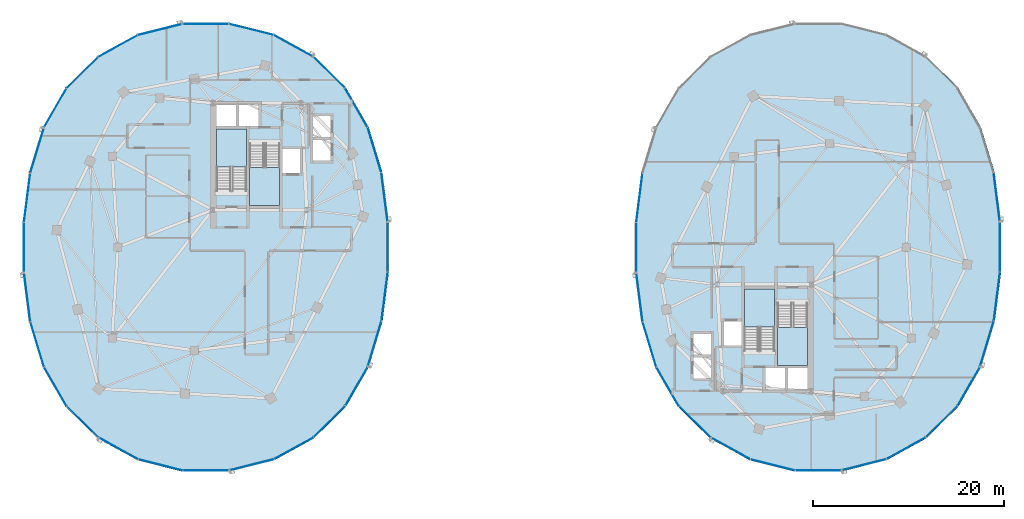
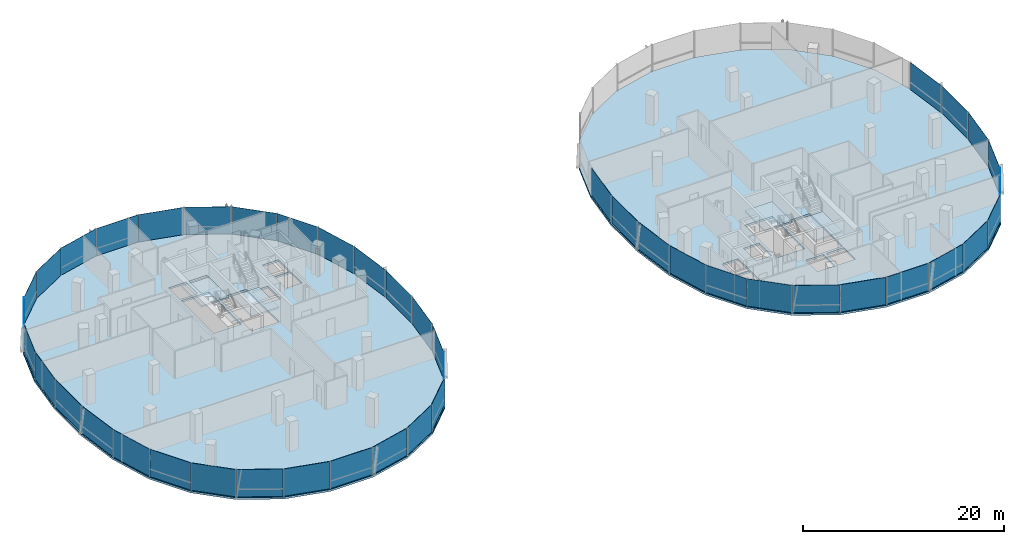
# One storey, part 10 of 22: 45 plates, 6 slabs, 12 elements without a shape of their own.
"""IFC4 building model written with IfcOpenShell, lengths in metres."""

from ifc_helpers import new_model, si_unit, direction, frame, origin, origin_2d, place, context, subcontext, project, spatial, polyline, rectangle, outline, extrude, material, layer, layer_set, type_object, element, aggregate, save


model = new_model("IFC4")

# Units and contexts
model_context = context("Model", 3, precision=1e-05, world=origin(), true_north=direction((0.0, 1.0)))
body_context = subcontext(model_context, "Body", "Model", "MODEL_VIEW")
ifc_project = project(units=[si_unit("LENGTHUNIT", "METRE"), si_unit("AREAUNIT", "SQUARE_METRE"), si_unit("VOLUMEUNIT", "CUBIC_METRE"), si_unit("PLANEANGLEUNIT", "RADIAN"), si_unit("MASSUNIT", "GRAM", prefix="KILO"), si_unit("THERMODYNAMICTEMPERATUREUNIT", "KELVIN"), si_unit("POWERUNIT", "WATT")], contexts=[model_context])

# Site, building, storey
site_placement = place(None, origin())
site = spatial("IfcSite", under=ifc_project, at=site_placement, CompositionType="ELEMENT")
building_placement = place(site_placement, origin())
building = spatial("IfcBuilding", under=site, at=building_placement, Name="Cundina Bronze Exchange", CompositionType="ELEMENT")
storey_placement = place(building_placement, frame((0.0, 0.0, 165.60009765625)))
storey = spatial("IfcBuildingStorey", under=building, at=storey_placement, Name="L43", CompositionType="ELEMENT", Elevation=165.60009765625)

# Curtain wall, plates
ifc_material_1 = material(Name="Anodised Bronze Aluminium 6063-T6", Category="aluminium")
curtain_wall_type = type_object("IfcCurtainWallType", Name="CWS-WST-PIN", PredefinedType="NOTDEFINED", material=ifc_material_1)
curtain_wall_1_placement = place(storey_placement, origin())
curtain_wall_1 = element("IfcCurtainWall", 1, at=curtain_wall_1_placement, inside=storey, type_object=curtain_wall_type, Name="L43 CW-04 Curtain Wall Run CWR-L43-W1", PredefinedType="NOTDEFINED")
ifc_material_2 = material(Name="Heat-Strengthened Solar-Control Bronze Safety Glass 28mm", Category="glass")
ifc_layer_1 = layer(ifc_material_2, 0.028076171875, Name="Heat-Strengthened Solar-Control Bronze Safety Glass 28mm", Category="glass")
ifc_layer_set_1 = layer_set([ifc_layer_1], Name="Heat-Strengthened Solar-Control Bronze Safety Glass 28mm")
plate_type_1 = type_object("IfcPlateType", Name="PLT-GLZ-VIS28", PredefinedType="CURTAIN_PANEL", material=ifc_layer_set_1)
plate_1_placement = place(storey_placement, frame((-13.320556640625, 5.2041015625, 0.02001953125), z_axis=(0.0, 0.0, 1.0), x_axis=(-0.126475984253, 0.9919696696, 0.0)))
plate_1 = element("IfcPlate", 2, at=plate_1_placement, type_object=plate_type_1, Name="CW-04 Glazed Panel 1", PredefinedType="CURTAIN_PANEL", context=body_context, shape_type="SweptSolid", body=[
    extrude(rectangle(XDim=5.104736328125, YDim=0.028076171875, at=origin_2d()), origin(), (0.0, 0.0, 1.0), 3.320068359375),
])
plate_2_placement = place(storey_placement, frame((-16.265625, 14.564697265625, 0.02001953125), z_axis=(0.0, 0.0, 1.0), x_axis=(-0.498487739754, 0.866896748936, 0.0)))
plate_2 = element("IfcPlate", 3, at=plate_2_placement, type_object=plate_type_1, Name="CW-04 Glazed Panel 3", PredefinedType="CURTAIN_PANEL", context=body_context, shape_type="SweptSolid", body=[
    extrude(rectangle(XDim=4.676513671875, YDim=0.028076171875, at=origin_2d()), origin(), (0.0, 0.0, 1.0), 3.320068359375),
])
plate_3_placement = place(storey_placement, frame((-19.105224609375, 18.253662109375, 0.02001953125), z_axis=(0.0, 0.0, 1.0), x_axis=(-0.711989280367, 0.702190333629, 0.0)))
plate_3 = element("IfcPlate", 4, at=plate_3_placement, type_object=plate_type_1, Name="CW-04 Glazed Panel 4", PredefinedType="CURTAIN_PANEL", context=body_context, shape_type="SweptSolid", body=[
    extrude(rectangle(XDim=4.6025390625, YDim=0.028076171875, at=origin_2d()), origin(), (0.0, 0.0, 1.0), 3.320068359375),
])
plate_4_placement = place(storey_placement, frame((-22.83154296875, 21.02880859375, 0.02001953125), z_axis=(0.0, 0.0, 1.0), x_axis=(-0.875869093438, 0.482548786301, 0.0)))
plate_4 = element("IfcPlate", 5, at=plate_4_placement, type_object=plate_type_1, Name="CW-04 Glazed Panel 5", PredefinedType="CURTAIN_PANEL", context=body_context, shape_type="SweptSolid", body=[
    extrude(rectangle(XDim=4.661865234375, YDim=0.028076171875, at=origin_2d()), origin(), (0.0, 0.0, 1.0), 3.320068359375),
])
plate_5_placement = place(storey_placement, frame((-27.23486328125, 22.75244140625, 0.02001953125), z_axis=(0.0, 0.0, 1.0), x_axis=(-0.970092713791, 0.242734683656, 0.0)))
plate_5 = element("IfcPlate", 6, at=plate_5_placement, type_object=plate_type_1, Name="CW-04 Glazed Panel 6", PredefinedType="CURTAIN_PANEL", context=body_context, shape_type="SweptSolid", body=[
    extrude(rectangle(XDim=4.7548828125, YDim=0.028076171875, at=origin_2d()), origin(), (0.0, 0.0, 1.0), 3.320068359375),
])

curtain_wall_2_placement = place(storey_placement, origin())
curtain_wall_2 = element("IfcCurtainWall", 7, at=curtain_wall_2_placement, inside=storey, type_object=curtain_wall_type, Name="L43 CW-04 Curtain Wall Run CWR-L43-W2", PredefinedType="NOTDEFINED")
plate_6_placement = place(storey_placement, frame((-41.16845703125, 21.02880859375, 0.02001953125), z_axis=(0.0, 0.0, 1.0), x_axis=(-0.875869093438, -0.482548786301, 0.0)))
plate_6 = element("IfcPlate", 8, at=plate_6_placement, type_object=plate_type_1, Name="CW-04 Glazed Panel 2", PredefinedType="CURTAIN_PANEL", context=body_context, shape_type="SweptSolid", body=[
    extrude(rectangle(XDim=4.661865234375, YDim=0.028076171875, at=origin_2d()), origin(), (0.0, 0.0, 1.0), 3.320068359375),
])
plate_7_placement = place(storey_placement, frame((-44.894775390625, 18.253662109375, 0.02001953125), z_axis=(0.0, 0.0, 1.0), x_axis=(-0.711989280367, -0.702190333629, 0.0)))
plate_7 = element("IfcPlate", 9, at=plate_7_placement, type_object=plate_type_1, Name="CW-04 Glazed Panel 3", PredefinedType="CURTAIN_PANEL", context=body_context, shape_type="SweptSolid", body=[
    extrude(rectangle(XDim=4.6025390625, YDim=0.028076171875, at=origin_2d()), origin(), (0.0, 0.0, 1.0), 3.320068359375),
])
plate_8_placement = place(storey_placement, frame((-47.734375, 14.564697265625, 0.02001953125), z_axis=(0.0, 0.0, 1.0), x_axis=(-0.498487739754, -0.866896748936, 0.0)))
plate_8 = element("IfcPlate", 10, at=plate_8_placement, type_object=plate_type_1, Name="CW-04 Glazed Panel 4", PredefinedType="CURTAIN_PANEL", context=body_context, shape_type="SweptSolid", body=[
    extrude(rectangle(XDim=4.676513671875, YDim=0.028076171875, at=origin_2d()), origin(), (0.0, 0.0, 1.0), 3.320068359375),
])
plate_9_placement = place(storey_placement, frame((-49.63330078125, 10.14208984375, 0.02001953125), z_axis=(0.0, 0.0, 1.0), x_axis=(-0.290050843957, -0.957011237092, 0.0)))
plate_9 = element("IfcPlate", 11, at=plate_9_placement, type_object=plate_type_1, Name="CW-04 Glazed Panel 5", PredefinedType="CURTAIN_PANEL", context=body_context, shape_type="SweptSolid", body=[
    extrude(rectangle(XDim=4.885009765625, YDim=0.028076171875, at=origin_2d()), origin(), (0.0, 0.0, 1.0), 3.320068359375),
])
plate_10_placement = place(storey_placement, frame((-51.007080078125, 0.0, 0.02001953125), z_axis=(0.0, 0.0, 1.0), x_axis=(0.0, -1.0, 0.0)))
plate_10 = element("IfcPlate", 12, at=plate_10_placement, type_object=plate_type_1, Name="CW-04 Glazed Panel 7", PredefinedType="CURTAIN_PANEL", context=body_context, shape_type="SweptSolid", body=[
    extrude(rectangle(XDim=5.194091796875, YDim=0.028076171875, at=origin_2d()), origin(), (0.0, 0.0, 1.0), 3.320068359375),
])

curtain_wall_3_placement = place(storey_placement, origin())
curtain_wall_3 = element("IfcCurtainWall", 13, at=curtain_wall_3_placement, inside=storey, type_object=curtain_wall_type, Name="L43 CW-04 Curtain Wall Run CWR-L43-W3", PredefinedType="NOTDEFINED")
plate_11_placement = place(storey_placement, frame((-50.679443359375, -5.2041015625, 0.02001953125), z_axis=(0.0, 0.0, 1.0), x_axis=(0.126475984253, -0.9919696696, 0.0)))
plate_11 = element("IfcPlate", 14, at=plate_11_placement, type_object=plate_type_1, Name="CW-04 Glazed Panel 1", PredefinedType="CURTAIN_PANEL", context=body_context, shape_type="SweptSolid", body=[
    extrude(rectangle(XDim=5.104736328125, YDim=0.028076171875, at=origin_2d()), origin(), (0.0, 0.0, 1.0), 3.320068359375),
])
plate_12_placement = place(storey_placement, frame((-49.63330078125, -10.14208984375, 0.02001953125), z_axis=(0.0, 0.0, 1.0), x_axis=(0.290050843957, -0.957011237092, 0.0)))
plate_12 = element("IfcPlate", 15, at=plate_12_placement, type_object=plate_type_1, Name="CW-04 Glazed Panel 2", PredefinedType="CURTAIN_PANEL", context=body_context, shape_type="SweptSolid", body=[
    extrude(rectangle(XDim=4.885009765625, YDim=0.028076171875, at=origin_2d()), origin(), (0.0, 0.0, 1.0), 3.320068359375),
])
plate_13_placement = place(storey_placement, frame((-47.734375, -14.564697265625, 0.02001953125), z_axis=(0.0, 0.0, 1.0), x_axis=(0.498487739754, -0.866896748936, 0.0)))
plate_13 = element("IfcPlate", 16, at=plate_13_placement, type_object=plate_type_1, Name="CW-04 Glazed Panel 3", PredefinedType="CURTAIN_PANEL", context=body_context, shape_type="SweptSolid", body=[
    extrude(rectangle(XDim=4.676513671875, YDim=0.028076171875, at=origin_2d()), origin(), (0.0, 0.0, 1.0), 3.320068359375),
])
plate_14_placement = place(storey_placement, frame((-44.894775390625, -18.253662109375, 0.02001953125), z_axis=(0.0, 0.0, 1.0), x_axis=(0.711989280367, -0.702190333629, 0.0)))
plate_14 = element("IfcPlate", 17, at=plate_14_placement, type_object=plate_type_1, Name="CW-04 Glazed Panel 4", PredefinedType="CURTAIN_PANEL", context=body_context, shape_type="SweptSolid", body=[
    extrude(rectangle(XDim=4.6025390625, YDim=0.028076171875, at=origin_2d()), origin(), (0.0, 0.0, 1.0), 3.320068359375),
])
plate_15_placement = place(storey_placement, frame((-36.76513671875, -22.75244140625, 0.02001953125), z_axis=(0.0, 0.0, 1.0), x_axis=(0.970092713791, -0.242734683656, 0.0)))
plate_15 = element("IfcPlate", 18, at=plate_15_placement, type_object=plate_type_1, Name="CW-04 Glazed Panel 6", PredefinedType="CURTAIN_PANEL", context=body_context, shape_type="SweptSolid", body=[
    extrude(rectangle(XDim=4.7548828125, YDim=0.028076171875, at=origin_2d()), origin(), (0.0, 0.0, 1.0), 3.320068359375),
])
plate_16_placement = place(storey_placement, frame((-32.0, -23.3369140625, 0.02001953125), z_axis=(0.0, 0.0, 1.0), x_axis=(1.0, 0.0, 0.0)))
plate_16 = element("IfcPlate", 19, at=plate_16_placement, type_object=plate_type_1, Name="CW-04 Glazed Panel 7", PredefinedType="CURTAIN_PANEL", context=body_context, shape_type="SweptSolid", body=[
    extrude(rectangle(XDim=4.7958984375, YDim=0.028076171875, at=origin_2d()), origin(), (0.0, 0.0, 1.0), 3.320068359375),
])

curtain_wall_4_placement = place(storey_placement, origin())
curtain_wall_4 = element("IfcCurtainWall", 20, at=curtain_wall_4_placement, inside=storey, type_object=curtain_wall_type, Name="L43 CW-04 Curtain Wall Run CWR-L43-W4", PredefinedType="NOTDEFINED")
plate_17_placement = place(storey_placement, frame((-27.23486328125, -22.75244140625, 0.02001953125), z_axis=(0.0, 0.0, 1.0), x_axis=(0.970092713791, 0.242734683656, 0.0)))
plate_17 = element("IfcPlate", 21, at=plate_17_placement, type_object=plate_type_1, Name="CW-04 Glazed Panel 1", PredefinedType="CURTAIN_PANEL", context=body_context, shape_type="SweptSolid", body=[
    extrude(rectangle(XDim=4.7548828125, YDim=0.028076171875, at=origin_2d()), origin(), (0.0, 0.0, 1.0), 3.320068359375),
])
plate_18_placement = place(storey_placement, frame((-22.83154296875, -21.02880859375, 0.02001953125), z_axis=(0.0, 0.0, 1.0), x_axis=(0.875869093438, 0.482548786301, 0.0)))
plate_18 = element("IfcPlate", 22, at=plate_18_placement, type_object=plate_type_1, Name="CW-04 Glazed Panel 2", PredefinedType="CURTAIN_PANEL", context=body_context, shape_type="SweptSolid", body=[
    extrude(rectangle(XDim=4.661865234375, YDim=0.028076171875, at=origin_2d()), origin(), (0.0, 0.0, 1.0), 3.320068359375),
])
plate_19_placement = place(storey_placement, frame((-19.105224609375, -18.253662109375, 0.02001953125), z_axis=(0.0, 0.0, 1.0), x_axis=(0.711989280367, 0.702190333629, 0.0)))
plate_19 = element("IfcPlate", 23, at=plate_19_placement, type_object=plate_type_1, Name="CW-04 Glazed Panel 3", PredefinedType="CURTAIN_PANEL", context=body_context, shape_type="SweptSolid", body=[
    extrude(rectangle(XDim=4.6025390625, YDim=0.028076171875, at=origin_2d()), origin(), (0.0, 0.0, 1.0), 3.320068359375),
])
plate_20_placement = place(storey_placement, frame((-14.36669921875, -10.14208984375, 0.02001953125), z_axis=(0.0, 0.0, 1.0), x_axis=(0.290050843957, 0.957011237092, 0.0)))
plate_20 = element("IfcPlate", 24, at=plate_20_placement, type_object=plate_type_1, Name="CW-04 Glazed Panel 5", PredefinedType="CURTAIN_PANEL", context=body_context, shape_type="SweptSolid", body=[
    extrude(rectangle(XDim=4.885009765625, YDim=0.028076171875, at=origin_2d()), origin(), (0.0, 0.0, 1.0), 3.320068359375),
])
plate_21_placement = place(storey_placement, frame((-13.320556640625, -5.2041015625, 0.02001953125), z_axis=(0.0, 0.0, 1.0), x_axis=(0.126475984253, 0.9919696696, 0.0)))
plate_21 = element("IfcPlate", 25, at=plate_21_placement, type_object=plate_type_1, Name="CW-04 Glazed Panel 6", PredefinedType="CURTAIN_PANEL", context=body_context, shape_type="SweptSolid", body=[
    extrude(rectangle(XDim=5.104736328125, YDim=0.028076171875, at=origin_2d()), origin(), (0.0, 0.0, 1.0), 3.320068359375),
])
plate_22_placement = place(storey_placement, frame((-12.992919921875, 0.0, 0.02001953125), z_axis=(0.0, 0.0, 1.0), x_axis=(0.0, 1.0, 0.0)))
plate_22 = element("IfcPlate", 26, at=plate_22_placement, type_object=plate_type_1, Name="CW-04 Glazed Panel 7", PredefinedType="CURTAIN_PANEL", context=body_context, shape_type="SweptSolid", body=[
    extrude(rectangle(XDim=5.194091796875, YDim=0.028076171875, at=origin_2d()), origin(), (0.0, 0.0, 1.0), 3.320068359375),
])

# Curtain wall, plate
curtain_wall_5_placement = place(storey_placement, origin())
curtain_wall_5 = element("IfcCurtainWall", 27, at=curtain_wall_5_placement, inside=storey, type_object=curtain_wall_type, Name="L43 CW-04 Curtain Wall Run CWR-L43-E1", PredefinedType="NOTDEFINED")
plate_23_placement = place(storey_placement, frame((50.679443359375, 5.2041015625, 0.02001953125), z_axis=(0.0, 0.0, 1.0), x_axis=(-0.126475984253, 0.9919696696, 0.0)))
plate_23 = element("IfcPlate", 28, at=plate_23_placement, type_object=plate_type_1, Name="CW-04 Glazed Panel 1", PredefinedType="CURTAIN_PANEL", context=body_context, shape_type="SweptSolid", body=[
    extrude(rectangle(XDim=5.104736328125, YDim=0.028076171875, at=origin_2d()), origin(), (0.0, 0.0, 1.0), 3.320068359375),
])
aggregate(curtain_wall_5, [plate_23])

curtain_wall_6_placement = place(storey_placement, origin())
curtain_wall_6 = element("IfcCurtainWall", 29, at=curtain_wall_6_placement, inside=storey, type_object=curtain_wall_type, Name="L43 CW-04 Curtain Wall Run CWR-L43-E2", PredefinedType="NOTDEFINED")
plate_24_placement = place(storey_placement, frame((12.992919921875, 0.0, 0.02001953125), z_axis=(0.0, 0.0, 1.0), x_axis=(0.0, -1.0, 0.0)))
plate_24 = element("IfcPlate", 30, at=plate_24_placement, type_object=plate_type_1, Name="CW-04 Glazed Panel 7", PredefinedType="CURTAIN_PANEL", context=body_context, shape_type="SweptSolid", body=[
    extrude(rectangle(XDim=5.194091796875, YDim=0.028076171875, at=origin_2d()), origin(), (0.0, 0.0, 1.0), 3.320068359375),
])

# Curtain wall, plates
curtain_wall_7_placement = place(storey_placement, origin())
curtain_wall_7 = element("IfcCurtainWall", 31, at=curtain_wall_7_placement, inside=storey, type_object=curtain_wall_type, Name="L43 CW-04 Curtain Wall Run CWR-L43-E3", PredefinedType="NOTDEFINED")
plate_25_placement = place(storey_placement, frame((13.320556640625, -5.2041015625, 0.02001953125), z_axis=(0.0, 0.0, 1.0), x_axis=(0.126475984253, -0.9919696696, 0.0)))
plate_25 = element("IfcPlate", 32, at=plate_25_placement, type_object=plate_type_1, Name="CW-04 Glazed Panel 1", PredefinedType="CURTAIN_PANEL", context=body_context, shape_type="SweptSolid", body=[
    extrude(rectangle(XDim=5.104736328125, YDim=0.028076171875, at=origin_2d()), origin(), (0.0, 0.0, 1.0), 3.320068359375),
])
plate_26_placement = place(storey_placement, frame((14.36669921875, -10.14208984375, 0.02001953125), z_axis=(0.0, 0.0, 1.0), x_axis=(0.290050843957, -0.957011237092, 0.0)))
plate_26 = element("IfcPlate", 33, at=plate_26_placement, type_object=plate_type_1, Name="CW-04 Glazed Panel 2", PredefinedType="CURTAIN_PANEL", context=body_context, shape_type="SweptSolid", body=[
    extrude(rectangle(XDim=4.885009765625, YDim=0.028076171875, at=origin_2d()), origin(), (0.0, 0.0, 1.0), 3.320068359375),
])
plate_27_placement = place(storey_placement, frame((16.265625, -14.564697265625, 0.02001953125), z_axis=(0.0, 0.0, 1.0), x_axis=(0.498487739754, -0.866896748936, 0.0)))
plate_27 = element("IfcPlate", 34, at=plate_27_placement, type_object=plate_type_1, Name="CW-04 Glazed Panel 3", PredefinedType="CURTAIN_PANEL", context=body_context, shape_type="SweptSolid", body=[
    extrude(rectangle(XDim=4.676513671875, YDim=0.028076171875, at=origin_2d()), origin(), (0.0, 0.0, 1.0), 3.320068359375),
])
plate_28_placement = place(storey_placement, frame((19.105224609375, -18.253662109375, 0.02001953125), z_axis=(0.0, 0.0, 1.0), x_axis=(0.711989280367, -0.702190333629, 0.0)))
plate_28 = element("IfcPlate", 35, at=plate_28_placement, type_object=plate_type_1, Name="CW-04 Glazed Panel 4", PredefinedType="CURTAIN_PANEL", context=body_context, shape_type="SweptSolid", body=[
    extrude(rectangle(XDim=4.6025390625, YDim=0.028076171875, at=origin_2d()), origin(), (0.0, 0.0, 1.0), 3.320068359375),
])
plate_29_placement = place(storey_placement, frame((27.23486328125, -22.75244140625, 0.02001953125), z_axis=(0.0, 0.0, 1.0), x_axis=(0.970092713791, -0.242734683656, 0.0)))
plate_29 = element("IfcPlate", 36, at=plate_29_placement, type_object=plate_type_1, Name="CW-04 Glazed Panel 6", PredefinedType="CURTAIN_PANEL", context=body_context, shape_type="SweptSolid", body=[
    extrude(rectangle(XDim=4.7548828125, YDim=0.028076171875, at=origin_2d()), origin(), (0.0, 0.0, 1.0), 3.320068359375),
])
plate_30_placement = place(storey_placement, frame((32.0, -23.3369140625, 0.02001953125), z_axis=(0.0, 0.0, 1.0), x_axis=(1.0, 0.0, 0.0)))
plate_30 = element("IfcPlate", 37, at=plate_30_placement, type_object=plate_type_1, Name="CW-04 Glazed Panel 7", PredefinedType="CURTAIN_PANEL", context=body_context, shape_type="SweptSolid", body=[
    extrude(rectangle(XDim=4.7958984375, YDim=0.028076171875, at=origin_2d()), origin(), (0.0, 0.0, 1.0), 3.320068359375),
])

curtain_wall_8_placement = place(storey_placement, origin())
curtain_wall_8 = element("IfcCurtainWall", 38, at=curtain_wall_8_placement, inside=storey, type_object=curtain_wall_type, Name="L43 CW-04 Curtain Wall Run CWR-L43-E4", PredefinedType="NOTDEFINED")
plate_31_placement = place(storey_placement, frame((36.76513671875, -22.75244140625, 0.02001953125), z_axis=(0.0, 0.0, 1.0), x_axis=(0.970092713791, 0.242734683656, 0.0)))
plate_31 = element("IfcPlate", 39, at=plate_31_placement, type_object=plate_type_1, Name="CW-04 Glazed Panel 1", PredefinedType="CURTAIN_PANEL", context=body_context, shape_type="SweptSolid", body=[
    extrude(rectangle(XDim=4.7548828125, YDim=0.028076171875, at=origin_2d()), origin(), (0.0, 0.0, 1.0), 3.320068359375),
])
plate_32_placement = place(storey_placement, frame((41.16845703125, -21.02880859375, 0.02001953125), z_axis=(0.0, 0.0, 1.0), x_axis=(0.875869093438, 0.482548786301, 0.0)))
plate_32 = element("IfcPlate", 40, at=plate_32_placement, type_object=plate_type_1, Name="CW-04 Glazed Panel 2", PredefinedType="CURTAIN_PANEL", context=body_context, shape_type="SweptSolid", body=[
    extrude(rectangle(XDim=4.661865234375, YDim=0.028076171875, at=origin_2d()), origin(), (0.0, 0.0, 1.0), 3.320068359375),
])
plate_33_placement = place(storey_placement, frame((44.894775390625, -18.253662109375, 0.02001953125), z_axis=(0.0, 0.0, 1.0), x_axis=(0.711989280367, 0.702190333629, 0.0)))
plate_33 = element("IfcPlate", 41, at=plate_33_placement, type_object=plate_type_1, Name="CW-04 Glazed Panel 3", PredefinedType="CURTAIN_PANEL", context=body_context, shape_type="SweptSolid", body=[
    extrude(rectangle(XDim=4.6025390625, YDim=0.028076171875, at=origin_2d()), origin(), (0.0, 0.0, 1.0), 3.320068359375),
])
plate_34_placement = place(storey_placement, frame((49.63330078125, -10.14208984375, 0.02001953125), z_axis=(0.0, 0.0, 1.0), x_axis=(0.290050843957, 0.957011237092, 0.0)))
plate_34 = element("IfcPlate", 42, at=plate_34_placement, type_object=plate_type_1, Name="CW-04 Glazed Panel 5", PredefinedType="CURTAIN_PANEL", context=body_context, shape_type="SweptSolid", body=[
    extrude(rectangle(XDim=4.885009765625, YDim=0.028076171875, at=origin_2d()), origin(), (0.0, 0.0, 1.0), 3.320068359375),
])
plate_35_placement = place(storey_placement, frame((50.679443359375, -5.2041015625, 0.02001953125), z_axis=(0.0, 0.0, 1.0), x_axis=(0.126475984253, 0.9919696696, 0.0)))
plate_35 = element("IfcPlate", 43, at=plate_35_placement, type_object=plate_type_1, Name="CW-04 Glazed Panel 6", PredefinedType="CURTAIN_PANEL", context=body_context, shape_type="SweptSolid", body=[
    extrude(rectangle(XDim=5.104736328125, YDim=0.028076171875, at=origin_2d()), origin(), (0.0, 0.0, 1.0), 3.320068359375),
])
plate_36_placement = place(storey_placement, frame((51.007080078125, 0.0, 0.02001953125), z_axis=(0.0, 0.0, 1.0), x_axis=(0.0, 1.0, 0.0)))
plate_36 = element("IfcPlate", 44, at=plate_36_placement, type_object=plate_type_1, Name="CW-04 Glazed Panel 7", PredefinedType="CURTAIN_PANEL", context=body_context, shape_type="SweptSolid", body=[
    extrude(rectangle(XDim=5.194091796875, YDim=0.028076171875, at=origin_2d()), origin(), (0.0, 0.0, 1.0), 3.320068359375),
])

# Plate
ifc_material_3 = material(Name="Dark Bronze Spandrel Glass Panel 32mm", Category="glass")
ifc_layer_2 = layer(ifc_material_3, 0.031982421875, Name="Dark Bronze Spandrel Glass Panel 32mm", Category="glass")
ifc_layer_set_2 = layer_set([ifc_layer_2], Name="Dark Bronze Spandrel Glass Panel 32mm")
plate_type_2 = type_object("IfcPlateType", Name="PLT-SPN-BRZ32", PredefinedType="CURTAIN_PANEL", material=ifc_layer_set_2)
plate_37_placement = place(storey_placement, frame((-14.36669921875, 10.14208984375, 0.02001953125), z_axis=(0.0, 0.0, 1.0), x_axis=(-0.290050843957, 0.957011237092, 0.0)))
plate_37 = element("IfcPlate", 45, at=plate_37_placement, type_object=plate_type_2, Name="CW-04 Glazed Panel 2", PredefinedType="CURTAIN_PANEL", context=body_context, shape_type="SweptSolid", body=[
    extrude(rectangle(XDim=4.885009765625, YDim=0.031982421875, at=origin_2d()), origin(), (0.0, 0.0, 1.0), 3.320068359375),
])

plate_38_placement = place(storey_placement, frame((-32.0, 23.3369140625, 0.02001953125), z_axis=(0.0, 0.0, 1.0), x_axis=(-1.0, 0.0, 0.0)))
plate_38 = element("IfcPlate", 46, at=plate_38_placement, type_object=plate_type_2, Name="CW-04 Glazed Panel 7", PredefinedType="CURTAIN_PANEL", context=body_context, shape_type="SweptSolid", body=[
    extrude(rectangle(XDim=4.7958984375, YDim=0.031982421875, at=origin_2d()), origin(), (0.0, 0.0, 1.0), 3.320068359375),
])

aggregate(curtain_wall_1, [plate_1, plate_37, plate_2, plate_3, plate_4, plate_5, plate_38])

plate_39_placement = place(storey_placement, frame((-36.76513671875, 22.75244140625, 0.02001953125), z_axis=(0.0, 0.0, 1.0), x_axis=(-0.970092713791, -0.242734683656, 0.0)))
plate_39 = element("IfcPlate", 47, at=plate_39_placement, type_object=plate_type_2, Name="CW-04 Glazed Panel 1", PredefinedType="CURTAIN_PANEL", context=body_context, shape_type="SweptSolid", body=[
    extrude(rectangle(XDim=4.7548828125, YDim=0.031982421875, at=origin_2d()), origin(), (0.0, 0.0, 1.0), 3.320068359375),
])

plate_40_placement = place(storey_placement, frame((-50.679443359375, 5.2041015625, 0.02001953125), z_axis=(0.0, 0.0, 1.0), x_axis=(-0.126475984253, -0.9919696696, 0.0)))
plate_40 = element("IfcPlate", 48, at=plate_40_placement, type_object=plate_type_2, Name="CW-04 Glazed Panel 6", PredefinedType="CURTAIN_PANEL", context=body_context, shape_type="SweptSolid", body=[
    extrude(rectangle(XDim=5.104736328125, YDim=0.031982421875, at=origin_2d()), origin(), (0.0, 0.0, 1.0), 3.320068359375),
])

aggregate(curtain_wall_2, [plate_39, plate_6, plate_7, plate_8, plate_9, plate_40, plate_10])

plate_41_placement = place(storey_placement, frame((-41.16845703125, -21.02880859375, 0.02001953125), z_axis=(0.0, 0.0, 1.0), x_axis=(0.875869093438, -0.482548786301, 0.0)))
plate_41 = element("IfcPlate", 49, at=plate_41_placement, type_object=plate_type_2, Name="CW-04 Glazed Panel 5", PredefinedType="CURTAIN_PANEL", context=body_context, shape_type="SweptSolid", body=[
    extrude(rectangle(XDim=4.661865234375, YDim=0.031982421875, at=origin_2d()), origin(), (0.0, 0.0, 1.0), 3.320068359375),
])

aggregate(curtain_wall_3, [plate_11, plate_12, plate_13, plate_14, plate_41, plate_15, plate_16])

plate_42_placement = place(storey_placement, frame((-16.265625, -14.564697265625, 0.02001953125), z_axis=(0.0, 0.0, 1.0), x_axis=(0.498487739754, 0.866896748936, 0.0)))
plate_42 = element("IfcPlate", 50, at=plate_42_placement, type_object=plate_type_2, Name="CW-04 Glazed Panel 4", PredefinedType="CURTAIN_PANEL", context=body_context, shape_type="SweptSolid", body=[
    extrude(rectangle(XDim=4.676513671875, YDim=0.031982421875, at=origin_2d()), origin(), (0.0, 0.0, 1.0), 3.320068359375),
])

aggregate(curtain_wall_4, [plate_17, plate_18, plate_19, plate_42, plate_20, plate_21, plate_22])

plate_43_placement = place(storey_placement, frame((13.320556640625, 5.2041015625, 0.02001953125), z_axis=(0.0, 0.0, 1.0), x_axis=(-0.126475984253, -0.9919696696, 0.0)))
plate_43 = element("IfcPlate", 51, at=plate_43_placement, type_object=plate_type_2, Name="CW-04 Glazed Panel 6", PredefinedType="CURTAIN_PANEL", context=body_context, shape_type="SweptSolid", body=[
    extrude(rectangle(XDim=5.104736328125, YDim=0.031982421875, at=origin_2d()), origin(), (0.0, 0.0, 1.0), 3.320068359375),
])

aggregate(curtain_wall_6, [plate_43, plate_24])

plate_44_placement = place(storey_placement, frame((22.83154296875, -21.02880859375, 0.02001953125), z_axis=(0.0, 0.0, 1.0), x_axis=(0.875869093438, -0.482548786301, 0.0)))
plate_44 = element("IfcPlate", 52, at=plate_44_placement, type_object=plate_type_2, Name="CW-04 Glazed Panel 5", PredefinedType="CURTAIN_PANEL", context=body_context, shape_type="SweptSolid", body=[
    extrude(rectangle(XDim=4.661865234375, YDim=0.031982421875, at=origin_2d()), origin(), (0.0, 0.0, 1.0), 3.320068359375),
])

aggregate(curtain_wall_7, [plate_25, plate_26, plate_27, plate_28, plate_44, plate_29, plate_30])

plate_45_placement = place(storey_placement, frame((47.734375, -14.564697265625, 0.02001953125), z_axis=(0.0, 0.0, 1.0), x_axis=(0.498487739754, 0.866896748936, 0.0)))
plate_45 = element("IfcPlate", 53, at=plate_45_placement, type_object=plate_type_2, Name="CW-04 Glazed Panel 4", PredefinedType="CURTAIN_PANEL", context=body_context, shape_type="SweptSolid", body=[
    extrude(rectangle(XDim=4.676513671875, YDim=0.031982421875, at=origin_2d()), origin(), (0.0, 0.0, 1.0), 3.320068359375),
])

aggregate(curtain_wall_8, [plate_31, plate_32, plate_33, plate_45, plate_34, plate_35, plate_36])

# Stair, slab
ifc_material_4 = material(Name="Concrete C40/50", Category="concrete")
stair_type = type_object("IfcStairType", Name="STR-OFF-360", PredefinedType="HALF_TURN_STAIR", material=ifc_material_4)
stair_1_placement = place(storey_placement, origin())
stair_1 = element("IfcStair", 54, at=stair_1_placement, inside=storey, type_object=stair_type, Name="L43 Smokeproof Exit Stair W1", PredefinedType="HALF_TURN_STAIR")
ifc_layer_3 = layer(ifc_material_4, 0.199951171875, Name="Concrete C40/50", Category="concrete")
ifc_layer_set_3 = layer_set([ifc_layer_3], Name="Concrete C40/50")
slab_type_1 = type_object("IfcSlabType", Name="SLB-LND-200", PredefinedType="LANDING", material=ifc_layer_set_3)
slab_1_placement = place(storey_placement, frame((0.0, 0.0, 1.599853515625)))
slab_1 = element("IfcSlab", 55, at=slab_1_placement, type_object=slab_type_1, Name="ST-W1 landing 1", PredefinedType="LANDING", context=body_context, shape_type="SweptSolid", body=[
    extrude(outline(polyline([(-27.739990234375, 8.3701171875), (-27.739990234375, 12.35009765625), (-30.89990234375, 12.35009765625), (-30.89990234375, 8.3701171875), (-27.739990234375, 8.3701171875)])), origin(), (0.0, 0.0, 1.0), 0.199951171875),
])
aggregate(stair_1, [slab_1])

stair_2_placement = place(storey_placement, origin())
stair_2 = element("IfcStair", 56, at=stair_2_placement, inside=storey, type_object=stair_type, Name="L43 Smokeproof Exit Stair W2", PredefinedType="HALF_TURN_STAIR")
slab_2_placement = place(storey_placement, frame((0.0, 0.0, 1.599853515625)))
slab_2 = element("IfcSlab", 57, at=slab_2_placement, type_object=slab_type_1, Name="ST-W2 landing 1", PredefinedType="LANDING", context=body_context, shape_type="SweptSolid", body=[
    extrude(outline(polyline([(-27.43994140625, 8.330078125), (-27.43994140625, 4.35009765625), (-24.280029296875, 4.35009765625), (-24.280029296875, 8.330078125), (-27.43994140625, 8.330078125)])), origin(), (0.0, 0.0, 1.0), 0.199951171875),
])
aggregate(stair_2, [slab_2])

stair_3_placement = place(storey_placement, origin())
stair_3 = element("IfcStair", 58, at=stair_3_placement, inside=storey, type_object=stair_type, Name="L43 Smokeproof Exit Stair E1", PredefinedType="HALF_TURN_STAIR")
slab_3_placement = place(storey_placement, frame((0.0, 0.0, 1.599853515625)))
slab_3 = element("IfcSlab", 59, at=slab_3_placement, type_object=slab_type_1, Name="ST-E1 landing 1", PredefinedType="LANDING", context=body_context, shape_type="SweptSolid", body=[
    extrude(outline(polyline([(27.739990234375, -8.3701171875), (27.739990234375, -12.35009765625), (30.89990234375, -12.35009765625), (30.89990234375, -8.3701171875), (27.739990234375, -8.3701171875)])), origin(), (0.0, 0.0, 1.0), 0.199951171875),
])
aggregate(stair_3, [slab_3])

stair_4_placement = place(storey_placement, origin())
stair_4 = element("IfcStair", 60, at=stair_4_placement, inside=storey, type_object=stair_type, Name="L43 Smokeproof Exit Stair E2", PredefinedType="HALF_TURN_STAIR")
slab_4_placement = place(storey_placement, frame((0.0, 0.0, 1.599853515625)))
slab_4 = element("IfcSlab", 61, at=slab_4_placement, type_object=slab_type_1, Name="ST-E2 landing 1", PredefinedType="LANDING", context=body_context, shape_type="SweptSolid", body=[
    extrude(outline(polyline([(27.43994140625, -8.330078125), (27.43994140625, -4.35009765625), (24.280029296875, -4.35009765625), (24.280029296875, -8.330078125), (27.43994140625, -8.330078125)])), origin(), (0.0, 0.0, 1.0), 0.199951171875),
])
aggregate(stair_4, [slab_4])

# Slabs
ifc_material_5 = material(Name="Concrete C50/60", Category="concrete")
ifc_layer_4 = layer(ifc_material_5, 0.239990234375, Name="Concrete C50/60", Category="concrete")
ifc_layer_set_4 = layer_set([ifc_layer_4], Name="Concrete C50/60")
slab_type_2 = type_object("IfcSlabType", Name="SLB-WST-240", PredefinedType="FLOOR", material=ifc_layer_set_4)
slab_5_placement = place(storey_placement, frame((0.0, 0.0, -0.239990234375)))
element("IfcSlab", 62, at=slab_5_placement, inside=storey, type_object=slab_type_2, Name="L43 Leg W Structural Floor Slab", PredefinedType="FLOOR", context=body_context, shape_type="SweptSolid", body=[
    extrude(outline(polyline([(-12.8779296875, 2.64208984375), (-13.534912109375, 7.794921875), (-14.97802734375, 12.555908203125), (-17.35400390625, 16.68798828125), (-20.695068359375, 19.98291015625), (-24.85693359375, 22.27587890625), (-29.556884765625, 23.451904296875), (-34.443115234375, 23.451904296875), (-39.14306640625, 22.27587890625), (-43.304931640625, 19.98291015625), (-46.64599609375, 16.68798828125), (-49.02197265625, 12.555908203125), (-50.465087890625, 7.794921875), (-51.1220703125, 2.64208984375), (-51.1220703125, -2.64208984375), (-50.465087890625, -7.794921875), (-49.02197265625, -12.555908203125), (-46.64599609375, -16.68798828125), (-43.304931640625, -19.98291015625), (-39.14306640625, -22.27587890625), (-34.443115234375, -23.451904296875), (-29.556884765625, -23.451904296875), (-24.85693359375, -22.27587890625), (-20.695068359375, -19.98291015625), (-17.35400390625, -16.68798828125), (-14.97802734375, -12.555908203125), (-13.534912109375, -7.794921875), (-12.8779296875, -2.64208984375), (-12.8779296875, 2.64208984375)]), holes=[polyline([(-27.739990234375, 5.85009765625), (-27.739990234375, 12.35009765625), (-30.89990234375, 12.35009765625), (-30.89990234375, 5.85009765625), (-27.739990234375, 5.85009765625)]), polyline([(-27.43994140625, 10.85009765625), (-27.43994140625, 4.35009765625), (-24.280029296875, 4.35009765625), (-24.280029296875, 10.85009765625), (-27.43994140625, 10.85009765625)]), polyline([(-23.97998046875, 10.25), (-22.179931640625, 10.25), (-22.179931640625, 7.75), (-23.97998046875, 7.75), (-23.97998046875, 10.25)]), polyline([(-30.89990234375, 14.949951171875), (-28.85009765625, 14.949951171875), (-28.85009765625, 12.64990234375), (-30.89990234375, 12.64990234375), (-30.89990234375, 14.949951171875)]), polyline([(-28.550048828125, 14.949951171875), (-26.5, 14.949951171875), (-26.5, 12.64990234375), (-28.550048828125, 12.64990234375), (-28.550048828125, 14.949951171875)]), polyline([(-20.800048828125, 13.699951171875), (-18.949951171875, 13.699951171875), (-18.949951171875, 11.449951171875), (-20.800048828125, 11.449951171875), (-20.800048828125, 13.699951171875)]), polyline([(-20.800048828125, 11.300048828125), (-18.949951171875, 11.300048828125), (-18.949951171875, 9.050048828125), (-20.800048828125, 9.050048828125), (-20.800048828125, 11.300048828125)])]), origin(), (0.0, 0.0, 1.0), 0.239990234375),
])
slab_6_placement = place(storey_placement, frame((0.0, 0.0, -0.239990234375)))
element("IfcSlab", 63, at=slab_6_placement, inside=storey, type_object=slab_type_2, Name="L43 Leg E Structural Floor Slab", PredefinedType="FLOOR", context=body_context, shape_type="SweptSolid", body=[
    extrude(outline(polyline([(51.1220703125, 2.64208984375), (50.465087890625, 7.794921875), (49.02197265625, 12.555908203125), (46.64599609375, 16.68798828125), (43.304931640625, 19.98291015625), (39.14306640625, 22.27587890625), (34.443115234375, 23.451904296875), (29.556884765625, 23.451904296875), (24.85693359375, 22.27587890625), (20.695068359375, 19.98291015625), (17.35400390625, 16.68798828125), (14.97802734375, 12.555908203125), (13.534912109375, 7.794921875), (12.8779296875, 2.64208984375), (12.8779296875, -2.64208984375), (13.534912109375, -7.794921875), (14.97802734375, -12.555908203125), (17.35400390625, -16.68798828125), (20.695068359375, -19.98291015625), (24.85693359375, -22.27587890625), (29.556884765625, -23.451904296875), (34.443115234375, -23.451904296875), (39.14306640625, -22.27587890625), (43.304931640625, -19.98291015625), (46.64599609375, -16.68798828125), (49.02197265625, -12.555908203125), (50.465087890625, -7.794921875), (51.1220703125, -2.64208984375), (51.1220703125, 2.64208984375)]), holes=[polyline([(27.739990234375, -5.85009765625), (27.739990234375, -12.35009765625), (30.89990234375, -12.35009765625), (30.89990234375, -5.85009765625), (27.739990234375, -5.85009765625)]), polyline([(27.43994140625, -10.85009765625), (27.43994140625, -4.35009765625), (24.280029296875, -4.35009765625), (24.280029296875, -10.85009765625), (27.43994140625, -10.85009765625)]), polyline([(22.179931640625, -7.75), (23.97998046875, -7.75), (23.97998046875, -10.25), (22.179931640625, -10.25), (22.179931640625, -7.75)]), polyline([(28.85009765625, -12.64990234375), (30.89990234375, -12.64990234375), (30.89990234375, -14.949951171875), (28.85009765625, -14.949951171875), (28.85009765625, -12.64990234375)]), polyline([(26.5, -12.64990234375), (28.550048828125, -12.64990234375), (28.550048828125, -14.949951171875), (26.5, -14.949951171875), (26.5, -12.64990234375)]), polyline([(18.949951171875, -11.449951171875), (20.800048828125, -11.449951171875), (20.800048828125, -13.699951171875), (18.949951171875, -13.699951171875), (18.949951171875, -11.449951171875)]), polyline([(18.949951171875, -9.050048828125), (20.800048828125, -9.050048828125), (20.800048828125, -11.300048828125), (18.949951171875, -11.300048828125), (18.949951171875, -9.050048828125)])]), origin(), (0.0, 0.0, 1.0), 0.239990234375),
])

save(model, "model.ifc")
